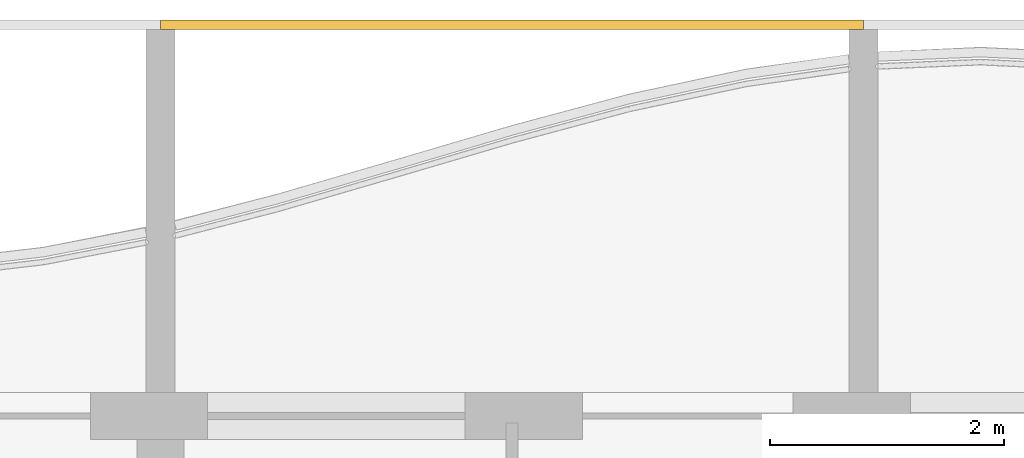
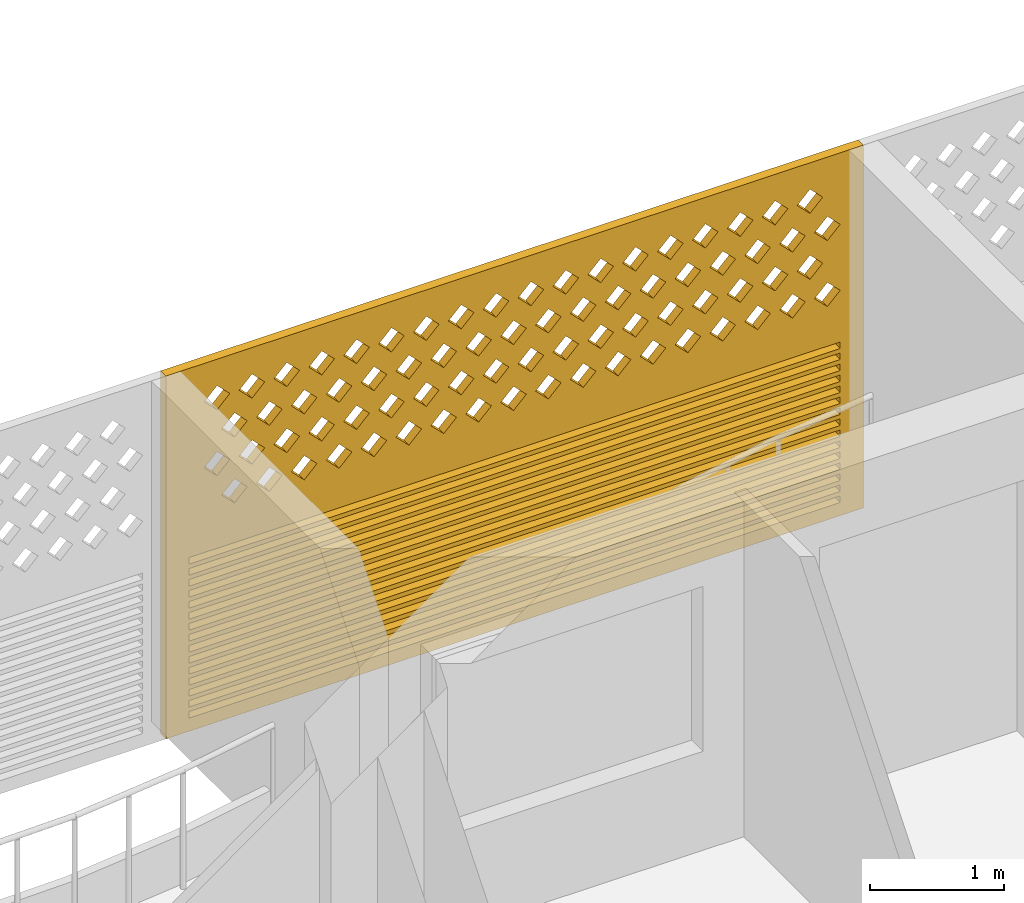
# One storey, part 38 of 40: 1 covering.
"""IFC4 building model written with IfcOpenShell, lengths in metres."""

from ifc_helpers import new_model, si_unit, direction, frame, origin, place, context, subcontext, project, spatial, polyline, outline, extrude, source, transform, mapped, material, material_profile, profile_set, type_object, element, save


model = new_model("IFC4")

# Units and contexts
model_context = context("Model", 3, precision=1e-05, world=origin(), true_north=direction((0.0, 1.0)))
body_context = subcontext(model_context, "Body", "Model", "MODEL_VIEW")
ifc_project = project(units=[si_unit("LENGTHUNIT", "METRE"), si_unit("AREAUNIT", "SQUARE_METRE"), si_unit("VOLUMEUNIT", "CUBIC_METRE"), si_unit("PLANEANGLEUNIT", "RADIAN"), si_unit("MASSUNIT", "GRAM", prefix="KILO")], contexts=[model_context])

# Site, building, storey
site_placement = place(None, origin())
site = spatial("IfcSite", under=ifc_project, at=site_placement, CompositionType="ELEMENT")
building_placement = place(site_placement, origin())
building = spatial("IfcBuilding", under=site, at=building_placement, Name="Poui Terraces", CompositionType="ELEMENT")
storey_placement = place(building_placement, frame((0.0, 0.0, 33.300048828125)))
storey = spatial("IfcBuildingStorey", under=building, at=storey_placement, Name="L08", CompositionType="ELEMENT", Elevation=33.300048828125)

# Covering
ifc_material = material(Name="Terracotta screen", Category="masonry")
ifc_material_profile = material_profile(ifc_material, outline(polyline([(-3.0, -1.64990234375), (3.0, -1.64990234375), (3.0, 1.64990234375), (-3.0, 1.64990234375), (-3.0, -1.64990234375)]), holes=[polyline([(-2.800048828125, 0.39990234375), (-2.68994140625, 0.2900390625), (-2.580078125, 0.39990234375), (-2.68994140625, 0.510009765625), (-2.800048828125, 0.39990234375)]), polyline([(-2.5, 0.39990234375), (-2.389892578125, 0.2900390625), (-2.280029296875, 0.39990234375), (-2.389892578125, 0.510009765625), (-2.5, 0.39990234375)]), polyline([(-2.199951171875, 0.39990234375), (-2.090087890625, 0.2900390625), (-1.97998046875, 0.39990234375), (-2.090087890625, 0.510009765625), (-2.199951171875, 0.39990234375)]), polyline([(-1.89990234375, 0.39990234375), (-1.7900390625, 0.2900390625), (-1.679931640625, 0.39990234375), (-1.7900390625, 0.510009765625), (-1.89990234375, 0.39990234375)]), polyline([(-1.60009765625, 0.39990234375), (-1.489990234375, 0.2900390625), (-1.3798828125, 0.39990234375), (-1.489990234375, 0.510009765625), (-1.60009765625, 0.39990234375)]), polyline([(-1.300048828125, 0.39990234375), (-1.18994140625, 0.2900390625), (-1.080078125, 0.39990234375), (-1.18994140625, 0.510009765625), (-1.300048828125, 0.39990234375)]), polyline([(-1.0, 0.39990234375), (-0.889892578125, 0.2900390625), (-0.780029296875, 0.39990234375), (-0.889892578125, 0.510009765625), (-1.0, 0.39990234375)]), polyline([(-0.699951171875, 0.39990234375), (-0.590087890625, 0.2900390625), (-0.47998046875, 0.39990234375), (-0.590087890625, 0.510009765625), (-0.699951171875, 0.39990234375)]), polyline([(-0.39990234375, 0.39990234375), (-0.2900390625, 0.2900390625), (-0.179931640625, 0.39990234375), (-0.2900390625, 0.510009765625), (-0.39990234375, 0.39990234375)]), polyline([(-0.10009765625, 0.39990234375), (0.010009765625, 0.2900390625), (0.1201171875, 0.39990234375), (0.010009765625, 0.510009765625), (-0.10009765625, 0.39990234375)]), polyline([(0.199951171875, 0.39990234375), (0.31005859375, 0.2900390625), (0.419921875, 0.39990234375), (0.31005859375, 0.510009765625), (0.199951171875, 0.39990234375)]), polyline([(0.5, 0.39990234375), (0.610107421875, 0.2900390625), (0.719970703125, 0.39990234375), (0.610107421875, 0.510009765625), (0.5, 0.39990234375)]), polyline([(0.800048828125, 0.39990234375), (0.909912109375, 0.2900390625), (1.02001953125, 0.39990234375), (0.909912109375, 0.510009765625), (0.800048828125, 0.39990234375)]), polyline([(1.10009765625, 0.39990234375), (1.2099609375, 0.2900390625), (1.320068359375, 0.39990234375), (1.2099609375, 0.510009765625), (1.10009765625, 0.39990234375)]), polyline([(1.39990234375, 0.39990234375), (1.510009765625, 0.2900390625), (1.6201171875, 0.39990234375), (1.510009765625, 0.510009765625), (1.39990234375, 0.39990234375)]), polyline([(1.699951171875, 0.39990234375), (1.81005859375, 0.2900390625), (1.919921875, 0.39990234375), (1.81005859375, 0.510009765625), (1.699951171875, 0.39990234375)]), polyline([(2.0, 0.39990234375), (2.110107421875, 0.2900390625), (2.219970703125, 0.39990234375), (2.110107421875, 0.510009765625), (2.0, 0.39990234375)]), polyline([(2.300048828125, 0.39990234375), (2.409912109375, 0.2900390625), (2.52001953125, 0.39990234375), (2.409912109375, 0.510009765625), (2.300048828125, 0.39990234375)]), polyline([(-2.64990234375, 0.699951171875), (-2.5400390625, 0.590087890625), (-2.429931640625, 0.699951171875), (-2.5400390625, 0.81005859375), (-2.64990234375, 0.699951171875)]), polyline([(-2.35009765625, 0.699951171875), (-2.239990234375, 0.590087890625), (-2.1298828125, 0.699951171875), (-2.239990234375, 0.81005859375), (-2.35009765625, 0.699951171875)]), polyline([(-2.050048828125, 0.699951171875), (-1.93994140625, 0.590087890625), (-1.830078125, 0.699951171875), (-1.93994140625, 0.81005859375), (-2.050048828125, 0.699951171875)]), polyline([(-1.75, 0.699951171875), (-1.639892578125, 0.590087890625), (-1.530029296875, 0.699951171875), (-1.639892578125, 0.81005859375), (-1.75, 0.699951171875)]), polyline([(-1.449951171875, 0.699951171875), (-1.340087890625, 0.590087890625), (-1.22998046875, 0.699951171875), (-1.340087890625, 0.81005859375), (-1.449951171875, 0.699951171875)]), polyline([(-1.14990234375, 0.699951171875), (-1.0400390625, 0.590087890625), (-0.929931640625, 0.699951171875), (-1.0400390625, 0.81005859375), (-1.14990234375, 0.699951171875)]), polyline([(-0.85009765625, 0.699951171875), (-0.739990234375, 0.590087890625), (-0.6298828125, 0.699951171875), (-0.739990234375, 0.81005859375), (-0.85009765625, 0.699951171875)]), polyline([(-0.550048828125, 0.699951171875), (-0.43994140625, 0.590087890625), (-0.330078125, 0.699951171875), (-0.43994140625, 0.81005859375), (-0.550048828125, 0.699951171875)]), polyline([(-0.25, 0.699951171875), (-0.139892578125, 0.590087890625), (-0.030029296875, 0.699951171875), (-0.139892578125, 0.81005859375), (-0.25, 0.699951171875)]), polyline([(0.050048828125, 0.699951171875), (0.159912109375, 0.590087890625), (0.27001953125, 0.699951171875), (0.159912109375, 0.81005859375), (0.050048828125, 0.699951171875)]), polyline([(0.35009765625, 0.699951171875), (0.4599609375, 0.590087890625), (0.570068359375, 0.699951171875), (0.4599609375, 0.81005859375), (0.35009765625, 0.699951171875)]), polyline([(0.64990234375, 0.699951171875), (0.760009765625, 0.590087890625), (0.8701171875, 0.699951171875), (0.760009765625, 0.81005859375), (0.64990234375, 0.699951171875)]), polyline([(0.949951171875, 0.699951171875), (1.06005859375, 0.590087890625), (1.169921875, 0.699951171875), (1.06005859375, 0.81005859375), (0.949951171875, 0.699951171875)]), polyline([(1.25, 0.699951171875), (1.360107421875, 0.590087890625), (1.469970703125, 0.699951171875), (1.360107421875, 0.81005859375), (1.25, 0.699951171875)]), polyline([(1.550048828125, 0.699951171875), (1.659912109375, 0.590087890625), (1.77001953125, 0.699951171875), (1.659912109375, 0.81005859375), (1.550048828125, 0.699951171875)]), polyline([(1.85009765625, 0.699951171875), (1.9599609375, 0.590087890625), (2.070068359375, 0.699951171875), (1.9599609375, 0.81005859375), (1.85009765625, 0.699951171875)]), polyline([(2.14990234375, 0.699951171875), (2.260009765625, 0.590087890625), (2.3701171875, 0.699951171875), (2.260009765625, 0.81005859375), (2.14990234375, 0.699951171875)]), polyline([(2.449951171875, 0.699951171875), (2.56005859375, 0.590087890625), (2.669921875, 0.699951171875), (2.56005859375, 0.81005859375), (2.449951171875, 0.699951171875)]), polyline([(-2.800048828125, 1.0), (-2.68994140625, 0.889892578125), (-2.580078125, 1.0), (-2.68994140625, 1.110107421875), (-2.800048828125, 1.0)]), polyline([(-2.5, 1.0), (-2.389892578125, 0.889892578125), (-2.280029296875, 1.0), (-2.389892578125, 1.110107421875), (-2.5, 1.0)]), polyline([(-2.199951171875, 1.0), (-2.090087890625, 0.889892578125), (-1.97998046875, 1.0), (-2.090087890625, 1.110107421875), (-2.199951171875, 1.0)]), polyline([(-1.89990234375, 1.0), (-1.7900390625, 0.889892578125), (-1.679931640625, 1.0), (-1.7900390625, 1.110107421875), (-1.89990234375, 1.0)]), polyline([(-1.60009765625, 1.0), (-1.489990234375, 0.889892578125), (-1.3798828125, 1.0), (-1.489990234375, 1.110107421875), (-1.60009765625, 1.0)]), polyline([(-1.300048828125, 1.0), (-1.18994140625, 0.889892578125), (-1.080078125, 1.0), (-1.18994140625, 1.110107421875), (-1.300048828125, 1.0)]), polyline([(-1.0, 1.0), (-0.889892578125, 0.889892578125), (-0.780029296875, 1.0), (-0.889892578125, 1.110107421875), (-1.0, 1.0)]), polyline([(-0.699951171875, 1.0), (-0.590087890625, 0.889892578125), (-0.47998046875, 1.0), (-0.590087890625, 1.110107421875), (-0.699951171875, 1.0)]), polyline([(-0.39990234375, 1.0), (-0.2900390625, 0.889892578125), (-0.179931640625, 1.0), (-0.2900390625, 1.110107421875), (-0.39990234375, 1.0)]), polyline([(-0.10009765625, 1.0), (0.010009765625, 0.889892578125), (0.1201171875, 1.0), (0.010009765625, 1.110107421875), (-0.10009765625, 1.0)]), polyline([(0.199951171875, 1.0), (0.31005859375, 0.889892578125), (0.419921875, 1.0), (0.31005859375, 1.110107421875), (0.199951171875, 1.0)]), polyline([(0.5, 1.0), (0.610107421875, 0.889892578125), (0.719970703125, 1.0), (0.610107421875, 1.110107421875), (0.5, 1.0)]), polyline([(0.800048828125, 1.0), (0.909912109375, 0.889892578125), (1.02001953125, 1.0), (0.909912109375, 1.110107421875), (0.800048828125, 1.0)]), polyline([(1.10009765625, 1.0), (1.2099609375, 0.889892578125), (1.320068359375, 1.0), (1.2099609375, 1.110107421875), (1.10009765625, 1.0)]), polyline([(1.39990234375, 1.0), (1.510009765625, 0.889892578125), (1.6201171875, 1.0), (1.510009765625, 1.110107421875), (1.39990234375, 1.0)]), polyline([(1.699951171875, 1.0), (1.81005859375, 0.889892578125), (1.919921875, 1.0), (1.81005859375, 1.110107421875), (1.699951171875, 1.0)]), polyline([(2.0, 1.0), (2.110107421875, 0.889892578125), (2.219970703125, 1.0), (2.110107421875, 1.110107421875), (2.0, 1.0)]), polyline([(2.300048828125, 1.0), (2.409912109375, 0.889892578125), (2.52001953125, 1.0), (2.409912109375, 1.110107421875), (2.300048828125, 1.0)]), polyline([(-2.64990234375, 1.300048828125), (-2.5400390625, 1.18994140625), (-2.429931640625, 1.300048828125), (-2.5400390625, 1.409912109375), (-2.64990234375, 1.300048828125)]), polyline([(-2.35009765625, 1.300048828125), (-2.239990234375, 1.18994140625), (-2.1298828125, 1.300048828125), (-2.239990234375, 1.409912109375), (-2.35009765625, 1.300048828125)]), polyline([(-2.050048828125, 1.300048828125), (-1.93994140625, 1.18994140625), (-1.830078125, 1.300048828125), (-1.93994140625, 1.409912109375), (-2.050048828125, 1.300048828125)]), polyline([(-1.75, 1.300048828125), (-1.639892578125, 1.18994140625), (-1.530029296875, 1.300048828125), (-1.639892578125, 1.409912109375), (-1.75, 1.300048828125)]), polyline([(-1.449951171875, 1.300048828125), (-1.340087890625, 1.18994140625), (-1.22998046875, 1.300048828125), (-1.340087890625, 1.409912109375), (-1.449951171875, 1.300048828125)]), polyline([(-1.14990234375, 1.300048828125), (-1.0400390625, 1.18994140625), (-0.929931640625, 1.300048828125), (-1.0400390625, 1.409912109375), (-1.14990234375, 1.300048828125)]), polyline([(-0.85009765625, 1.300048828125), (-0.739990234375, 1.18994140625), (-0.6298828125, 1.300048828125), (-0.739990234375, 1.409912109375), (-0.85009765625, 1.300048828125)]), polyline([(-0.550048828125, 1.300048828125), (-0.43994140625, 1.18994140625), (-0.330078125, 1.300048828125), (-0.43994140625, 1.409912109375), (-0.550048828125, 1.300048828125)]), polyline([(-0.25, 1.300048828125), (-0.139892578125, 1.18994140625), (-0.030029296875, 1.300048828125), (-0.139892578125, 1.409912109375), (-0.25, 1.300048828125)]), polyline([(0.050048828125, 1.300048828125), (0.159912109375, 1.18994140625), (0.27001953125, 1.300048828125), (0.159912109375, 1.409912109375), (0.050048828125, 1.300048828125)]), polyline([(0.35009765625, 1.300048828125), (0.4599609375, 1.18994140625), (0.570068359375, 1.300048828125), (0.4599609375, 1.409912109375), (0.35009765625, 1.300048828125)]), polyline([(0.64990234375, 1.300048828125), (0.760009765625, 1.18994140625), (0.8701171875, 1.300048828125), (0.760009765625, 1.409912109375), (0.64990234375, 1.300048828125)]), polyline([(0.949951171875, 1.300048828125), (1.06005859375, 1.18994140625), (1.169921875, 1.300048828125), (1.06005859375, 1.409912109375), (0.949951171875, 1.300048828125)]), polyline([(1.25, 1.300048828125), (1.360107421875, 1.18994140625), (1.469970703125, 1.300048828125), (1.360107421875, 1.409912109375), (1.25, 1.300048828125)]), polyline([(1.550048828125, 1.300048828125), (1.659912109375, 1.18994140625), (1.77001953125, 1.300048828125), (1.659912109375, 1.409912109375), (1.550048828125, 1.300048828125)]), polyline([(1.85009765625, 1.300048828125), (1.9599609375, 1.18994140625), (2.070068359375, 1.300048828125), (1.9599609375, 1.409912109375), (1.85009765625, 1.300048828125)]), polyline([(2.14990234375, 1.300048828125), (2.260009765625, 1.18994140625), (2.3701171875, 1.300048828125), (2.260009765625, 1.409912109375), (2.14990234375, 1.300048828125)]), polyline([(2.449951171875, 1.300048828125), (2.56005859375, 1.18994140625), (2.669921875, 1.300048828125), (2.56005859375, 1.409912109375), (2.449951171875, 1.300048828125)]), polyline([(-2.800048828125, -1.530029296875), (2.800048828125, -1.530029296875), (2.800048828125, -1.469970703125), (-2.800048828125, -1.469970703125), (-2.800048828125, -1.530029296875)]), polyline([(-2.800048828125, -1.429931640625), (2.800048828125, -1.429931640625), (2.800048828125, -1.3701171875), (-2.800048828125, -1.3701171875), (-2.800048828125, -1.429931640625)]), polyline([(-2.800048828125, -1.330078125), (2.800048828125, -1.330078125), (2.800048828125, -1.27001953125), (-2.800048828125, -1.27001953125), (-2.800048828125, -1.330078125)]), polyline([(-2.800048828125, -1.22998046875), (2.800048828125, -1.22998046875), (2.800048828125, -1.169921875), (-2.800048828125, -1.169921875), (-2.800048828125, -1.22998046875)]), polyline([(-2.800048828125, -1.1298828125), (2.800048828125, -1.1298828125), (2.800048828125, -1.070068359375), (-2.800048828125, -1.070068359375), (-2.800048828125, -1.1298828125)]), polyline([(-2.800048828125, -1.030029296875), (2.800048828125, -1.030029296875), (2.800048828125, -0.969970703125), (-2.800048828125, -0.969970703125), (-2.800048828125, -1.030029296875)]), polyline([(-2.800048828125, -0.929931640625), (2.800048828125, -0.929931640625), (2.800048828125, -0.8701171875), (-2.800048828125, -0.8701171875), (-2.800048828125, -0.929931640625)]), polyline([(-2.800048828125, -0.830078125), (2.800048828125, -0.830078125), (2.800048828125, -0.77001953125), (-2.800048828125, -0.77001953125), (-2.800048828125, -0.830078125)]), polyline([(-2.800048828125, -0.72998046875), (2.800048828125, -0.72998046875), (2.800048828125, -0.669921875), (-2.800048828125, -0.669921875), (-2.800048828125, -0.72998046875)]), polyline([(-2.800048828125, -0.6298828125), (2.800048828125, -0.6298828125), (2.800048828125, -0.570068359375), (-2.800048828125, -0.570068359375), (-2.800048828125, -0.6298828125)]), polyline([(-2.800048828125, -0.530029296875), (2.800048828125, -0.530029296875), (2.800048828125, -0.469970703125), (-2.800048828125, -0.469970703125), (-2.800048828125, -0.530029296875)]), polyline([(-2.800048828125, -0.429931640625), (2.800048828125, -0.429931640625), (2.800048828125, -0.3701171875), (-2.800048828125, -0.3701171875), (-2.800048828125, -0.429931640625)]), polyline([(-2.800048828125, -0.330078125), (2.800048828125, -0.330078125), (2.800048828125, -0.27001953125), (-2.800048828125, -0.27001953125), (-2.800048828125, -0.330078125)]), polyline([(-2.800048828125, -0.22998046875), (2.800048828125, -0.22998046875), (2.800048828125, -0.169921875), (-2.800048828125, -0.169921875), (-2.800048828125, -0.22998046875)]), polyline([(-2.800048828125, -0.1298828125), (2.800048828125, -0.1298828125), (2.800048828125, -0.070068359375), (-2.800048828125, -0.070068359375), (-2.800048828125, -0.1298828125)])]), Name="TERRACOTTA SCREEN AND JALOUSIE LOUVRE 6000X3300")
ifc_profile_set = profile_set([ifc_material_profile], Name="Terracotta screen")
covering_type = type_object("IfcCoveringType", Name="TERRACOTTA SCREEN AND JALOUSIE LOUVRE 6000X3300", PredefinedType="CLADDING", material=ifc_profile_set)
shared_shape = source(origin(), body_context, "Body", "SweptSolid", [
    extrude(outline(polyline([(-3.0, -1.64990234375), (3.0, -1.64990234375), (3.0, 1.64990234375), (-3.0, 1.64990234375), (-3.0, -1.64990234375)]), holes=[polyline([(-2.800048828125, 0.39990234375), (-2.68994140625, 0.2900390625), (-2.580078125, 0.39990234375), (-2.68994140625, 0.510009765625), (-2.800048828125, 0.39990234375)]), polyline([(-2.5, 0.39990234375), (-2.389892578125, 0.2900390625), (-2.280029296875, 0.39990234375), (-2.389892578125, 0.510009765625), (-2.5, 0.39990234375)]), polyline([(-2.199951171875, 0.39990234375), (-2.090087890625, 0.2900390625), (-1.97998046875, 0.39990234375), (-2.090087890625, 0.510009765625), (-2.199951171875, 0.39990234375)]), polyline([(-1.89990234375, 0.39990234375), (-1.7900390625, 0.2900390625), (-1.679931640625, 0.39990234375), (-1.7900390625, 0.510009765625), (-1.89990234375, 0.39990234375)]), polyline([(-1.60009765625, 0.39990234375), (-1.489990234375, 0.2900390625), (-1.3798828125, 0.39990234375), (-1.489990234375, 0.510009765625), (-1.60009765625, 0.39990234375)]), polyline([(-1.300048828125, 0.39990234375), (-1.18994140625, 0.2900390625), (-1.080078125, 0.39990234375), (-1.18994140625, 0.510009765625), (-1.300048828125, 0.39990234375)]), polyline([(-1.0, 0.39990234375), (-0.889892578125, 0.2900390625), (-0.780029296875, 0.39990234375), (-0.889892578125, 0.510009765625), (-1.0, 0.39990234375)]), polyline([(-0.699951171875, 0.39990234375), (-0.590087890625, 0.2900390625), (-0.47998046875, 0.39990234375), (-0.590087890625, 0.510009765625), (-0.699951171875, 0.39990234375)]), polyline([(-0.39990234375, 0.39990234375), (-0.2900390625, 0.2900390625), (-0.179931640625, 0.39990234375), (-0.2900390625, 0.510009765625), (-0.39990234375, 0.39990234375)]), polyline([(-0.10009765625, 0.39990234375), (0.010009765625, 0.2900390625), (0.1201171875, 0.39990234375), (0.010009765625, 0.510009765625), (-0.10009765625, 0.39990234375)]), polyline([(0.199951171875, 0.39990234375), (0.31005859375, 0.2900390625), (0.419921875, 0.39990234375), (0.31005859375, 0.510009765625), (0.199951171875, 0.39990234375)]), polyline([(0.5, 0.39990234375), (0.610107421875, 0.2900390625), (0.719970703125, 0.39990234375), (0.610107421875, 0.510009765625), (0.5, 0.39990234375)]), polyline([(0.800048828125, 0.39990234375), (0.909912109375, 0.2900390625), (1.02001953125, 0.39990234375), (0.909912109375, 0.510009765625), (0.800048828125, 0.39990234375)]), polyline([(1.10009765625, 0.39990234375), (1.2099609375, 0.2900390625), (1.320068359375, 0.39990234375), (1.2099609375, 0.510009765625), (1.10009765625, 0.39990234375)]), polyline([(1.39990234375, 0.39990234375), (1.510009765625, 0.2900390625), (1.6201171875, 0.39990234375), (1.510009765625, 0.510009765625), (1.39990234375, 0.39990234375)]), polyline([(1.699951171875, 0.39990234375), (1.81005859375, 0.2900390625), (1.919921875, 0.39990234375), (1.81005859375, 0.510009765625), (1.699951171875, 0.39990234375)]), polyline([(2.0, 0.39990234375), (2.110107421875, 0.2900390625), (2.219970703125, 0.39990234375), (2.110107421875, 0.510009765625), (2.0, 0.39990234375)]), polyline([(2.300048828125, 0.39990234375), (2.409912109375, 0.2900390625), (2.52001953125, 0.39990234375), (2.409912109375, 0.510009765625), (2.300048828125, 0.39990234375)]), polyline([(-2.64990234375, 0.699951171875), (-2.5400390625, 0.590087890625), (-2.429931640625, 0.699951171875), (-2.5400390625, 0.81005859375), (-2.64990234375, 0.699951171875)]), polyline([(-2.35009765625, 0.699951171875), (-2.239990234375, 0.590087890625), (-2.1298828125, 0.699951171875), (-2.239990234375, 0.81005859375), (-2.35009765625, 0.699951171875)]), polyline([(-2.050048828125, 0.699951171875), (-1.93994140625, 0.590087890625), (-1.830078125, 0.699951171875), (-1.93994140625, 0.81005859375), (-2.050048828125, 0.699951171875)]), polyline([(-1.75, 0.699951171875), (-1.639892578125, 0.590087890625), (-1.530029296875, 0.699951171875), (-1.639892578125, 0.81005859375), (-1.75, 0.699951171875)]), polyline([(-1.449951171875, 0.699951171875), (-1.340087890625, 0.590087890625), (-1.22998046875, 0.699951171875), (-1.340087890625, 0.81005859375), (-1.449951171875, 0.699951171875)]), polyline([(-1.14990234375, 0.699951171875), (-1.0400390625, 0.590087890625), (-0.929931640625, 0.699951171875), (-1.0400390625, 0.81005859375), (-1.14990234375, 0.699951171875)]), polyline([(-0.85009765625, 0.699951171875), (-0.739990234375, 0.590087890625), (-0.6298828125, 0.699951171875), (-0.739990234375, 0.81005859375), (-0.85009765625, 0.699951171875)]), polyline([(-0.550048828125, 0.699951171875), (-0.43994140625, 0.590087890625), (-0.330078125, 0.699951171875), (-0.43994140625, 0.81005859375), (-0.550048828125, 0.699951171875)]), polyline([(-0.25, 0.699951171875), (-0.139892578125, 0.590087890625), (-0.030029296875, 0.699951171875), (-0.139892578125, 0.81005859375), (-0.25, 0.699951171875)]), polyline([(0.050048828125, 0.699951171875), (0.159912109375, 0.590087890625), (0.27001953125, 0.699951171875), (0.159912109375, 0.81005859375), (0.050048828125, 0.699951171875)]), polyline([(0.35009765625, 0.699951171875), (0.4599609375, 0.590087890625), (0.570068359375, 0.699951171875), (0.4599609375, 0.81005859375), (0.35009765625, 0.699951171875)]), polyline([(0.64990234375, 0.699951171875), (0.760009765625, 0.590087890625), (0.8701171875, 0.699951171875), (0.760009765625, 0.81005859375), (0.64990234375, 0.699951171875)]), polyline([(0.949951171875, 0.699951171875), (1.06005859375, 0.590087890625), (1.169921875, 0.699951171875), (1.06005859375, 0.81005859375), (0.949951171875, 0.699951171875)]), polyline([(1.25, 0.699951171875), (1.360107421875, 0.590087890625), (1.469970703125, 0.699951171875), (1.360107421875, 0.81005859375), (1.25, 0.699951171875)]), polyline([(1.550048828125, 0.699951171875), (1.659912109375, 0.590087890625), (1.77001953125, 0.699951171875), (1.659912109375, 0.81005859375), (1.550048828125, 0.699951171875)]), polyline([(1.85009765625, 0.699951171875), (1.9599609375, 0.590087890625), (2.070068359375, 0.699951171875), (1.9599609375, 0.81005859375), (1.85009765625, 0.699951171875)]), polyline([(2.14990234375, 0.699951171875), (2.260009765625, 0.590087890625), (2.3701171875, 0.699951171875), (2.260009765625, 0.81005859375), (2.14990234375, 0.699951171875)]), polyline([(2.449951171875, 0.699951171875), (2.56005859375, 0.590087890625), (2.669921875, 0.699951171875), (2.56005859375, 0.81005859375), (2.449951171875, 0.699951171875)]), polyline([(-2.800048828125, 1.0), (-2.68994140625, 0.889892578125), (-2.580078125, 1.0), (-2.68994140625, 1.110107421875), (-2.800048828125, 1.0)]), polyline([(-2.5, 1.0), (-2.389892578125, 0.889892578125), (-2.280029296875, 1.0), (-2.389892578125, 1.110107421875), (-2.5, 1.0)]), polyline([(-2.199951171875, 1.0), (-2.090087890625, 0.889892578125), (-1.97998046875, 1.0), (-2.090087890625, 1.110107421875), (-2.199951171875, 1.0)]), polyline([(-1.89990234375, 1.0), (-1.7900390625, 0.889892578125), (-1.679931640625, 1.0), (-1.7900390625, 1.110107421875), (-1.89990234375, 1.0)]), polyline([(-1.60009765625, 1.0), (-1.489990234375, 0.889892578125), (-1.3798828125, 1.0), (-1.489990234375, 1.110107421875), (-1.60009765625, 1.0)]), polyline([(-1.300048828125, 1.0), (-1.18994140625, 0.889892578125), (-1.080078125, 1.0), (-1.18994140625, 1.110107421875), (-1.300048828125, 1.0)]), polyline([(-1.0, 1.0), (-0.889892578125, 0.889892578125), (-0.780029296875, 1.0), (-0.889892578125, 1.110107421875), (-1.0, 1.0)]), polyline([(-0.699951171875, 1.0), (-0.590087890625, 0.889892578125), (-0.47998046875, 1.0), (-0.590087890625, 1.110107421875), (-0.699951171875, 1.0)]), polyline([(-0.39990234375, 1.0), (-0.2900390625, 0.889892578125), (-0.179931640625, 1.0), (-0.2900390625, 1.110107421875), (-0.39990234375, 1.0)]), polyline([(-0.10009765625, 1.0), (0.010009765625, 0.889892578125), (0.1201171875, 1.0), (0.010009765625, 1.110107421875), (-0.10009765625, 1.0)]), polyline([(0.199951171875, 1.0), (0.31005859375, 0.889892578125), (0.419921875, 1.0), (0.31005859375, 1.110107421875), (0.199951171875, 1.0)]), polyline([(0.5, 1.0), (0.610107421875, 0.889892578125), (0.719970703125, 1.0), (0.610107421875, 1.110107421875), (0.5, 1.0)]), polyline([(0.800048828125, 1.0), (0.909912109375, 0.889892578125), (1.02001953125, 1.0), (0.909912109375, 1.110107421875), (0.800048828125, 1.0)]), polyline([(1.10009765625, 1.0), (1.2099609375, 0.889892578125), (1.320068359375, 1.0), (1.2099609375, 1.110107421875), (1.10009765625, 1.0)]), polyline([(1.39990234375, 1.0), (1.510009765625, 0.889892578125), (1.6201171875, 1.0), (1.510009765625, 1.110107421875), (1.39990234375, 1.0)]), polyline([(1.699951171875, 1.0), (1.81005859375, 0.889892578125), (1.919921875, 1.0), (1.81005859375, 1.110107421875), (1.699951171875, 1.0)]), polyline([(2.0, 1.0), (2.110107421875, 0.889892578125), (2.219970703125, 1.0), (2.110107421875, 1.110107421875), (2.0, 1.0)]), polyline([(2.300048828125, 1.0), (2.409912109375, 0.889892578125), (2.52001953125, 1.0), (2.409912109375, 1.110107421875), (2.300048828125, 1.0)]), polyline([(-2.64990234375, 1.300048828125), (-2.5400390625, 1.18994140625), (-2.429931640625, 1.300048828125), (-2.5400390625, 1.409912109375), (-2.64990234375, 1.300048828125)]), polyline([(-2.35009765625, 1.300048828125), (-2.239990234375, 1.18994140625), (-2.1298828125, 1.300048828125), (-2.239990234375, 1.409912109375), (-2.35009765625, 1.300048828125)]), polyline([(-2.050048828125, 1.300048828125), (-1.93994140625, 1.18994140625), (-1.830078125, 1.300048828125), (-1.93994140625, 1.409912109375), (-2.050048828125, 1.300048828125)]), polyline([(-1.75, 1.300048828125), (-1.639892578125, 1.18994140625), (-1.530029296875, 1.300048828125), (-1.639892578125, 1.409912109375), (-1.75, 1.300048828125)]), polyline([(-1.449951171875, 1.300048828125), (-1.340087890625, 1.18994140625), (-1.22998046875, 1.300048828125), (-1.340087890625, 1.409912109375), (-1.449951171875, 1.300048828125)]), polyline([(-1.14990234375, 1.300048828125), (-1.0400390625, 1.18994140625), (-0.929931640625, 1.300048828125), (-1.0400390625, 1.409912109375), (-1.14990234375, 1.300048828125)]), polyline([(-0.85009765625, 1.300048828125), (-0.739990234375, 1.18994140625), (-0.6298828125, 1.300048828125), (-0.739990234375, 1.409912109375), (-0.85009765625, 1.300048828125)]), polyline([(-0.550048828125, 1.300048828125), (-0.43994140625, 1.18994140625), (-0.330078125, 1.300048828125), (-0.43994140625, 1.409912109375), (-0.550048828125, 1.300048828125)]), polyline([(-0.25, 1.300048828125), (-0.139892578125, 1.18994140625), (-0.030029296875, 1.300048828125), (-0.139892578125, 1.409912109375), (-0.25, 1.300048828125)]), polyline([(0.050048828125, 1.300048828125), (0.159912109375, 1.18994140625), (0.27001953125, 1.300048828125), (0.159912109375, 1.409912109375), (0.050048828125, 1.300048828125)]), polyline([(0.35009765625, 1.300048828125), (0.4599609375, 1.18994140625), (0.570068359375, 1.300048828125), (0.4599609375, 1.409912109375), (0.35009765625, 1.300048828125)]), polyline([(0.64990234375, 1.300048828125), (0.760009765625, 1.18994140625), (0.8701171875, 1.300048828125), (0.760009765625, 1.409912109375), (0.64990234375, 1.300048828125)]), polyline([(0.949951171875, 1.300048828125), (1.06005859375, 1.18994140625), (1.169921875, 1.300048828125), (1.06005859375, 1.409912109375), (0.949951171875, 1.300048828125)]), polyline([(1.25, 1.300048828125), (1.360107421875, 1.18994140625), (1.469970703125, 1.300048828125), (1.360107421875, 1.409912109375), (1.25, 1.300048828125)]), polyline([(1.550048828125, 1.300048828125), (1.659912109375, 1.18994140625), (1.77001953125, 1.300048828125), (1.659912109375, 1.409912109375), (1.550048828125, 1.300048828125)]), polyline([(1.85009765625, 1.300048828125), (1.9599609375, 1.18994140625), (2.070068359375, 1.300048828125), (1.9599609375, 1.409912109375), (1.85009765625, 1.300048828125)]), polyline([(2.14990234375, 1.300048828125), (2.260009765625, 1.18994140625), (2.3701171875, 1.300048828125), (2.260009765625, 1.409912109375), (2.14990234375, 1.300048828125)]), polyline([(2.449951171875, 1.300048828125), (2.56005859375, 1.18994140625), (2.669921875, 1.300048828125), (2.56005859375, 1.409912109375), (2.449951171875, 1.300048828125)]), polyline([(-2.800048828125, -1.530029296875), (2.800048828125, -1.530029296875), (2.800048828125, -1.469970703125), (-2.800048828125, -1.469970703125), (-2.800048828125, -1.530029296875)]), polyline([(-2.800048828125, -1.429931640625), (2.800048828125, -1.429931640625), (2.800048828125, -1.3701171875), (-2.800048828125, -1.3701171875), (-2.800048828125, -1.429931640625)]), polyline([(-2.800048828125, -1.330078125), (2.800048828125, -1.330078125), (2.800048828125, -1.27001953125), (-2.800048828125, -1.27001953125), (-2.800048828125, -1.330078125)]), polyline([(-2.800048828125, -1.22998046875), (2.800048828125, -1.22998046875), (2.800048828125, -1.169921875), (-2.800048828125, -1.169921875), (-2.800048828125, -1.22998046875)]), polyline([(-2.800048828125, -1.1298828125), (2.800048828125, -1.1298828125), (2.800048828125, -1.070068359375), (-2.800048828125, -1.070068359375), (-2.800048828125, -1.1298828125)]), polyline([(-2.800048828125, -1.030029296875), (2.800048828125, -1.030029296875), (2.800048828125, -0.969970703125), (-2.800048828125, -0.969970703125), (-2.800048828125, -1.030029296875)]), polyline([(-2.800048828125, -0.929931640625), (2.800048828125, -0.929931640625), (2.800048828125, -0.8701171875), (-2.800048828125, -0.8701171875), (-2.800048828125, -0.929931640625)]), polyline([(-2.800048828125, -0.830078125), (2.800048828125, -0.830078125), (2.800048828125, -0.77001953125), (-2.800048828125, -0.77001953125), (-2.800048828125, -0.830078125)]), polyline([(-2.800048828125, -0.72998046875), (2.800048828125, -0.72998046875), (2.800048828125, -0.669921875), (-2.800048828125, -0.669921875), (-2.800048828125, -0.72998046875)]), polyline([(-2.800048828125, -0.6298828125), (2.800048828125, -0.6298828125), (2.800048828125, -0.570068359375), (-2.800048828125, -0.570068359375), (-2.800048828125, -0.6298828125)]), polyline([(-2.800048828125, -0.530029296875), (2.800048828125, -0.530029296875), (2.800048828125, -0.469970703125), (-2.800048828125, -0.469970703125), (-2.800048828125, -0.530029296875)]), polyline([(-2.800048828125, -0.429931640625), (2.800048828125, -0.429931640625), (2.800048828125, -0.3701171875), (-2.800048828125, -0.3701171875), (-2.800048828125, -0.429931640625)]), polyline([(-2.800048828125, -0.330078125), (2.800048828125, -0.330078125), (2.800048828125, -0.27001953125), (-2.800048828125, -0.27001953125), (-2.800048828125, -0.330078125)]), polyline([(-2.800048828125, -0.22998046875), (2.800048828125, -0.22998046875), (2.800048828125, -0.169921875), (-2.800048828125, -0.169921875), (-2.800048828125, -0.22998046875)]), polyline([(-2.800048828125, -0.1298828125), (2.800048828125, -0.1298828125), (2.800048828125, -0.070068359375), (-2.800048828125, -0.070068359375), (-2.800048828125, -0.1298828125)])]), origin(), (0.0, 0.0, 1.0), 0.079833984375),
])
covering_placement = place(storey_placement, frame((87.0, 48.10009765625, 1.449951171875), z_axis=(0.0, 1.0, 0.0), x_axis=(-1.0, 0.0, 0.0)))
element("IfcCovering", 1, at=covering_placement, inside=storey, type_object=covering_type, Name="SOLAR SCREEN AND JALOUSIE LOUVRE", PredefinedType="CLADDING", context=body_context, shape_type="MappedRepresentation", body=[
    mapped(shared_shape, transform((0.0, 0.0, 0.0))),
])

save(model, "model.ifc")
